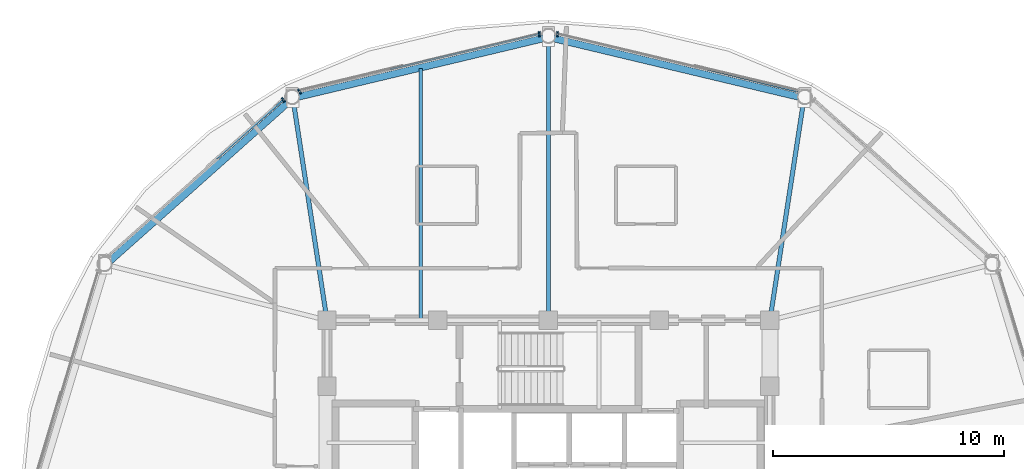
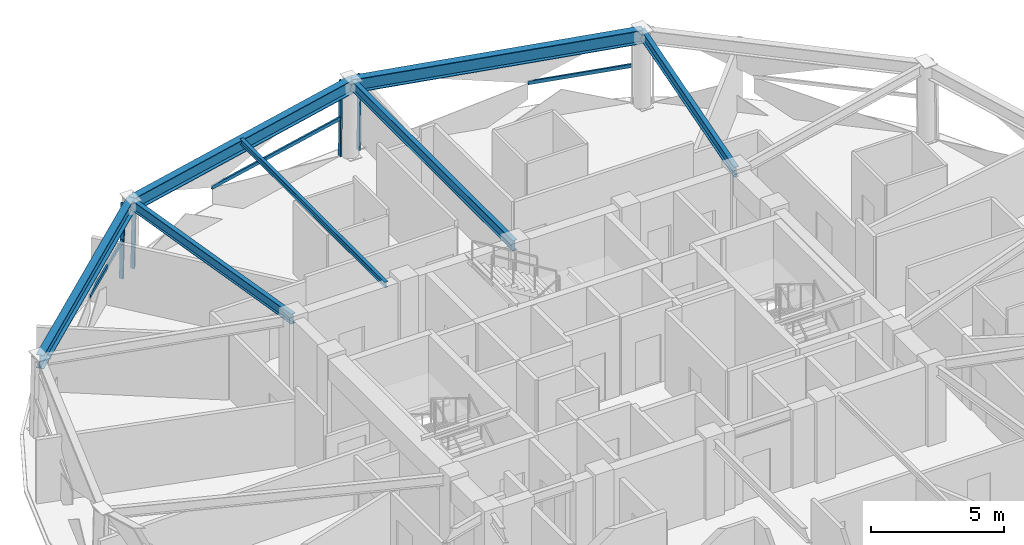
# One storey, part 6 of 17: 7 beams, 7 members, 3 elements without a shape of their own.
"""IFC4 building model written with IfcOpenShell, lengths in metres."""

from ifc_helpers import new_model, si_unit, direction, frame, origin, origin_2d, place, context, subcontext, project, spatial, hollow_rectangle, i_section, extrude, material, layer, layer_set, material_profile, profile_set, type_object, element, aggregate, save


model = new_model("IFC4")

# Units and contexts
model_context = context("Model", 3, precision=1e-05, world=origin(), true_north=direction((0.0, 1.0)))
body_context = subcontext(model_context, "Body", "Model", "MODEL_VIEW")
ifc_project = project(units=[si_unit("LENGTHUNIT", "METRE"), si_unit("AREAUNIT", "SQUARE_METRE"), si_unit("VOLUMEUNIT", "CUBIC_METRE"), si_unit("PLANEANGLEUNIT", "RADIAN"), si_unit("MASSUNIT", "GRAM", prefix="KILO")], contexts=[model_context])

# Site, building, storey
site_placement = place(None, origin())
site = spatial("IfcSite", under=ifc_project, at=site_placement, CompositionType="ELEMENT")
building_placement = place(site_placement, origin())
building = spatial("IfcBuilding", under=site, at=building_placement, Name="Vantalir Tower", CompositionType="ELEMENT")
storey_placement = place(building_placement, frame((0.0, 0.0, 208.64990234375)))
storey = spatial("IfcBuildingStorey", under=building, at=storey_placement, Name="L52", CompositionType="ELEMENT", Elevation=208.64990234375)

# Beams
ifc_material_1 = material(Name="Steel S355", Category="steel")
ifc_material_profile_1 = material_profile(ifc_material_1, i_section(OverallWidth=0.14599609375, OverallDepth=0.256103515625, WebThickness=0.00634765625, FlangeThickness=0.010986328125, at=origin_2d()), Name="Steel S355")
ifc_profile_set_1 = profile_set([ifc_material_profile_1], Name="Steel S355")
beam_type_1 = type_object("IfcBeamType", Name="BM-JS-254x146", PredefinedType="JOIST", material=ifc_profile_set_1)
beam_1_placement = place(storey_placement, frame((25.9599609375, 43.361083984375, 3.442138671875), z_axis=(0.0, -1.0, 0.0), x_axis=(1.0, 0.0, 0.0)))
element("IfcBeam", 1, at=beam_1_placement, inside=storey, type_object=beam_type_1, Name="L52 Composite Trim Joist 01", PredefinedType="JOIST", context=body_context, shape_type="SweptSolid", body=[
    extrude(i_section(OverallWidth=0.14599609375, OverallDepth=0.256103515625, WebThickness=0.00634765625, FlangeThickness=0.010986328125, at=origin_2d()), origin(), (0.0, 0.0, 1.0), 10.865966796875),
])
ifc_material_profile_2 = material_profile(ifc_material_1, i_section(OverallWidth=0.19189453125, OverallDepth=0.462890625, WebThickness=0.010498046875, FlangeThickness=0.017578125, at=origin_2d()), Name="Steel S355")
ifc_profile_set_2 = profile_set([ifc_material_profile_2], Name="Steel S355")
beam_type_2 = type_object("IfcBeamType", Name="BM-RB-457x191", PredefinedType="BEAM", material=ifc_profile_set_2)
beam_2_placement = place(storey_placement, frame((42.580078125, 42.083984375, 3.338134765625), z_axis=(-0.151838846127, -0.988405263446, 0.0), x_axis=(0.988405263446, -0.151838846127, 0.0)))
element("IfcBeam", 2, at=beam_2_placement, inside=storey, type_object=beam_type_2, Name="L52 Radial Floor Beam 03", PredefinedType="BEAM", context=body_context, shape_type="SweptSolid", body=[
    extrude(i_section(OverallWidth=0.19189453125, OverallDepth=0.462890625, WebThickness=0.010498046875, FlangeThickness=0.017578125, at=origin_2d()), origin(), (0.0, 0.0, 1.0), 9.7470703125),
])
beam_3_placement = place(storey_placement, frame((31.5, 44.72705078125, 3.338134765625), z_axis=(0.0, -1.0, 0.0), x_axis=(1.0, 0.0, 0.0)))
element("IfcBeam", 3, at=beam_3_placement, inside=storey, type_object=beam_type_2, Name="L52 Radial Floor Beam 04", PredefinedType="BEAM", context=body_context, shape_type="SweptSolid", body=[
    extrude(i_section(OverallWidth=0.19189453125, OverallDepth=0.462890625, WebThickness=0.010498046875, FlangeThickness=0.017578125, at=origin_2d()), origin(), (0.0, 0.0, 1.0), 12.277099609375),
])
beam_4_placement = place(storey_placement, frame((20.419921875, 42.083984375, 3.338134765625), z_axis=(0.151838846127, -0.988405263446, 0.0), x_axis=(0.988405263446, 0.151838846127, 0.0)))
element("IfcBeam", 4, at=beam_4_placement, inside=storey, type_object=beam_type_2, Name="L52 Radial Floor Beam 05", PredefinedType="BEAM", context=body_context, shape_type="SweptSolid", body=[
    extrude(i_section(OverallWidth=0.19189453125, OverallDepth=0.462890625, WebThickness=0.010498046875, FlangeThickness=0.017578125, at=origin_2d()), origin(), (0.0, 0.0, 1.0), 9.7470703125),
])
ifc_material_2 = material(Name="Steel S460", Category="steel")
ifc_material_profile_3 = material_profile(ifc_material_2, i_section(OverallWidth=0.306884765625, OverallDepth=0.6201171875, WebThickness=0.01416015625, FlangeThickness=0.023681640625, at=origin_2d()), Name="Steel S460")
ifc_profile_set_3 = profile_set([ifc_material_profile_3], Name="Steel S460")
beam_type_3 = type_object("IfcBeamType", Name="BM-RG-610x305", PredefinedType="USERDEFINED", material=ifc_profile_set_3)
for number, where, z_axis, x_axis, name in (
    (5, (42.580078125, 42.083984375, 3.260009765625), (-0.9727081621, 0.232031961989, 0.0), (-0.232031961989, -0.9727081621, 0.0), "L52 Circumferential Ring Girder 03"),
    (6, (31.5, 44.72705078125, 3.260009765625), (-0.9727081621, -0.232031961989, 0.0), (0.232031961989, -0.9727081621, 0.0), "L52 Circumferential Ring Girder 04"),
):
    element("IfcBeam", number, at=place(storey_placement, frame(where, z_axis=z_axis, x_axis=x_axis)), inside=storey, type_object=beam_type_3, Name=name, ObjectType="GIRDER", PredefinedType="USERDEFINED", context=body_context, shape_type="SweptSolid", body=[
        extrude(i_section(OverallWidth=0.306884765625, OverallDepth=0.6201171875, WebThickness=0.01416015625, FlangeThickness=0.023681640625, at=origin_2d()), origin(), (0.0, 0.0, 1.0), 11.390869140625),
    ])
beam_5_placement = place(storey_placement, frame((20.419921875, 42.083984375, 3.260009765625), z_axis=(-0.746931612302, -0.664900869712, 0.0), x_axis=(0.664900869712, -0.746931612302, 0.0)))
element("IfcBeam", 7, at=beam_5_placement, inside=storey, type_object=beam_type_3, Name="L52 Circumferential Ring Girder 05", ObjectType="GIRDER", PredefinedType="USERDEFINED", context=body_context, shape_type="SweptSolid", body=[
    extrude(i_section(OverallWidth=0.306884765625, OverallDepth=0.6201171875, WebThickness=0.01416015625, FlangeThickness=0.023681640625, at=origin_2d()), origin(), (0.0, 0.0, 1.0), 10.860107421875),
])

# Curtain wall, member
ifc_material_3 = material(Name="Champagne-silver PVDF aluminium and double-silver Low-E glass", Category="aluminium")
ifc_layer = layer(ifc_material_3, 0.2099609375)
ifc_layer_set = layer_set([ifc_layer], Name="Champagne-silver PVDF aluminium and double-silver Low-E glass")
curtain_wall_type = type_object("IfcCurtainWallType", Name="CW-DIAMOND-Z3", PredefinedType="USERDEFINED", material=ifc_layer_set)
curtain_wall_1_placement = place(storey_placement, origin())
curtain_wall_1 = element("IfcCurtainWall", 8, at=curtain_wall_1_placement, inside=storey, type_object=curtain_wall_type, Name="L52 Quilted Pyramid-Diamond Curtain Wall S03", ObjectType="UNITISED CURTAIN WALL", PredefinedType="USERDEFINED")
ifc_material_4 = material(Name="Champagne-silver PVDF aluminium 6063-T6", Category="aluminium")
ifc_material_profile_4 = material_profile(ifc_material_4, hollow_rectangle(XDim=0.070068359375, YDim=0.1650390625, WallThickness=0.00390625, at=origin_2d()), Name="Champagne-silver PVDF aluminium 6063-T6")
ifc_profile_set_4 = profile_set([ifc_material_profile_4], Name="Champagne-silver PVDF aluminium 6063-T6")
member_type_1 = type_object("IfcMemberType", Name="CWM-165x70", PredefinedType="MULLION", material=ifc_profile_set_4)
member_1_placement = place(storey_placement, frame((31.89892578125, 44.887939453125, 0.045166015625), z_axis=(0.0, -0.018938654052, 0.999820647608), x_axis=(1.0, 0.0, 0.0)))
member_1 = element("IfcMember", 9, at=member_1_placement, type_object=member_type_1, Name="CW-L52-S03 Mullion 2", PredefinedType="MULLION", context=body_context, shape_type="SweptSolid", body=[
    extrude(hollow_rectangle(XDim=0.070068359375, YDim=0.1650390625, WallThickness=0.00390625, at=origin_2d()), origin(), (0.0, 0.0, 1.0), 3.480712890625),
])

# Curtain wall, members
curtain_wall_2_placement = place(storey_placement, origin())
curtain_wall_2 = element("IfcCurtainWall", 10, at=curtain_wall_2_placement, inside=storey, type_object=curtain_wall_type, Name="L52 Quilted Pyramid-Diamond Curtain Wall S04", ObjectType="UNITISED CURTAIN WALL", PredefinedType="USERDEFINED")
member_2_placement = place(storey_placement, frame((31.10107421875, 44.887939453125, 0.045166015625), z_axis=(0.0, -0.018938654052, 0.999820647608), x_axis=(1.0, 0.0, 0.0)))
member_2 = element("IfcMember", 11, at=member_2_placement, type_object=member_type_1, Name="CW-L52-S04 Mullion 1", PredefinedType="MULLION", context=body_context, shape_type="SweptSolid", body=[
    extrude(hollow_rectangle(XDim=0.070068359375, YDim=0.1650390625, WallThickness=0.00390625, at=origin_2d()), origin(), (0.0, 0.0, 1.0), 3.480712890625),
])
member_3_placement = place(storey_placement, frame((20.68701171875, 42.40087890625, 0.045166015625), z_axis=(0.010661642958, -0.016343176376, 0.999809596851), x_axis=(0.837539079284, 0.546377425112, 0.0)))
member_3 = element("IfcMember", 12, at=member_3_placement, type_object=member_type_1, Name="CW-L52-S04 Mullion 2", PredefinedType="MULLION", context=body_context, shape_type="SweptSolid", body=[
    extrude(hollow_rectangle(XDim=0.070068359375, YDim=0.1650390625, WallThickness=0.00390625, at=origin_2d()), origin(), (0.0, 0.0, 1.0), 3.480712890625),
])

# Curtain wall, member
curtain_wall_3_placement = place(storey_placement, origin())
curtain_wall_3 = element("IfcCurtainWall", 13, at=curtain_wall_3_placement, inside=storey, type_object=curtain_wall_type, Name="L52 Quilted Pyramid-Diamond Curtain Wall S05", ObjectType="UNITISED CURTAIN WALL", PredefinedType="USERDEFINED")
member_4_placement = place(storey_placement, frame((19.98193359375, 42.032958984375, 0.045166015625), z_axis=(0.010661642958, -0.016343176376, 0.999809596851), x_axis=(0.837539079284, 0.546377425112, 0.0)))
member_4 = element("IfcMember", 14, at=member_4_placement, type_object=member_type_1, Name="CW-L52-S05 Mullion 1", PredefinedType="MULLION", context=body_context, shape_type="SweptSolid", body=[
    extrude(hollow_rectangle(XDim=0.070068359375, YDim=0.1650390625, WallThickness=0.00390625, at=origin_2d()), origin(), (0.0, 0.0, 1.0), 3.480712890625),
])

# Member
ifc_material_profile_5 = material_profile(ifc_material_4, hollow_rectangle(XDim=0.074951171875, YDim=0.159912109375, WallThickness=0.00390625, at=origin_2d()), Name="Champagne-silver PVDF aluminium 6063-T6")
ifc_profile_set_5 = profile_set([ifc_material_profile_5], Name="Champagne-silver PVDF aluminium 6063-T6")
member_type_2 = type_object("IfcMemberType", Name="CWT-160x75", PredefinedType="USERDEFINED", material=ifc_profile_set_5)
member_5_placement = place(storey_placement, frame((42.294921875, 42.373046875, 1.78515625), z_axis=(-0.971326804516, 0.237748267772, 0.0), x_axis=(-0.237748267772, -0.971326804516, 0.0)))
member_5 = element("IfcMember", 15, at=member_5_placement, type_object=member_type_2, Name="CW-L52-S03 Pyramid Fold Ridge Transom", ObjectType="TRANSOM", PredefinedType="USERDEFINED", context=body_context, shape_type="SweptSolid", body=[
    extrude(hollow_rectangle(XDim=0.074951171875, YDim=0.159912109375, WallThickness=0.00390625, at=origin_2d()), origin(), (0.0, 0.0, 1.0), 4.058349609375),
])

aggregate(curtain_wall_1, [member_1, member_5])

member_6_placement = place(storey_placement, frame((31.10107421875, 44.85498046875, 1.78515625), z_axis=(-0.973468334843, -0.228821767011, 0.0), x_axis=(0.228821767011, -0.973468334843, 0.0)))
member_6 = element("IfcMember", 16, at=member_6_placement, type_object=member_type_2, Name="CW-L52-S04 Pyramid Fold Ridge Transom", ObjectType="TRANSOM", PredefinedType="USERDEFINED", context=body_context, shape_type="SweptSolid", body=[
    extrude(hollow_rectangle(XDim=0.074951171875, YDim=0.159912109375, WallThickness=0.00390625, at=origin_2d()), origin(), (0.0, 0.0, 1.0), 6.630126953125),
])

aggregate(curtain_wall_2, [member_2, member_3, member_6])

member_7_placement = place(storey_placement, frame((20.0, 42.0048828125, 1.78515625), z_axis=(-0.750638241974, -0.660713424781, 0.0), x_axis=(0.660713424781, -0.750638241974, 0.0)))
member_7 = element("IfcMember", 17, at=member_7_placement, type_object=member_type_2, Name="CW-L52-S05 Pyramid Fold Ridge Transom", ObjectType="TRANSOM", PredefinedType="USERDEFINED", context=body_context, shape_type="SweptSolid", body=[
    extrude(hollow_rectangle(XDim=0.074951171875, YDim=0.159912109375, WallThickness=0.00390625, at=origin_2d()), origin(), (0.0, 0.0, 1.0), 3.860595703125),
])

aggregate(curtain_wall_3, [member_4, member_7])

save(model, "model.ifc")
